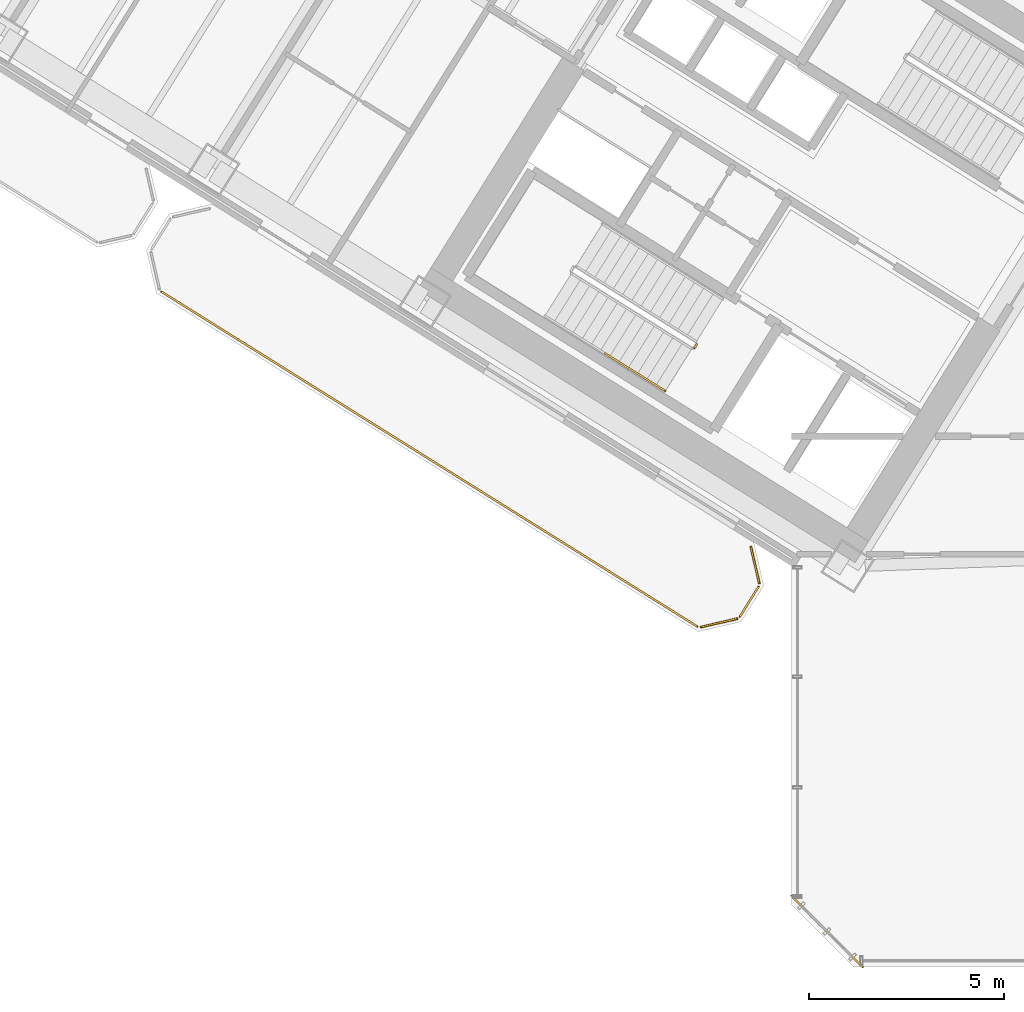
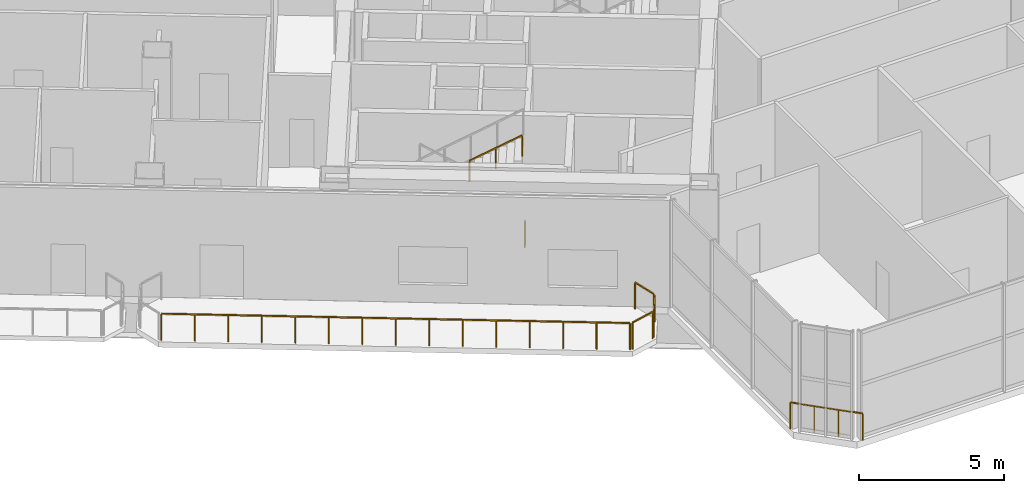
# One storey, part 18 of 22: 7 railings.
"""IFC4 building model written with IfcOpenShell, lengths in metres."""

from ifc_helpers import new_model, si_unit, direction, frame, origin, origin_2d, place, context, subcontext, project, spatial, rectangle, extrude, source, transform, mapped, material, type_object, element, save


model = new_model("IFC4")

# Units and contexts
model_context = context("Model", 3, precision=1e-05, world=origin(), true_north=direction((0.0, 1.0)))
body_context = subcontext(model_context, "Body", "Model", "MODEL_VIEW")
ifc_project = project(units=[si_unit("LENGTHUNIT", "METRE"), si_unit("AREAUNIT", "SQUARE_METRE"), si_unit("VOLUMEUNIT", "CUBIC_METRE"), si_unit("PLANEANGLEUNIT", "RADIAN"), si_unit("MASSUNIT", "GRAM", prefix="KILO")], contexts=[model_context])

# Site, building, storey
site_placement = place(None, origin())
site = spatial("IfcSite", under=ifc_project, at=site_placement, CompositionType="ELEMENT")
building_placement = place(site_placement, origin())
building = spatial("IfcBuilding", under=site, at=building_placement, Name="Tlacorven Tower", CompositionType="ELEMENT")
storey_placement = place(building_placement, frame((0.0, 0.0, 71.699951171875)))
storey = spatial("IfcBuildingStorey", under=building, at=storey_placement, Name="L18", CompositionType="ELEMENT", Elevation=71.699951171875)

# Railings
ifc_material = material(Name="Aluminium and painted steel balustrade", Category="steel")
railing_type_1 = type_object("IfcRailingType", Name="RL-GRD-1150", PredefinedType="GUARDRAIL", material=ifc_material)
shared_shape_1 = source(origin(), body_context, "Body", "SweptSolid", [
    extrude(rectangle(XDim=0.048095703125, YDim=0.048095703125, at=origin_2d()), frame((0.0, 0.0, 1.1259765625), z_axis=(-0.707106781187, 0.707106781187, 0.0), x_axis=(-0.707106781187, -0.707106781187, 0.0)), (0.0, 0.0, 1.0), 2.590087890625),
    extrude(rectangle(XDim=0.0419921875, YDim=0.0419921875, at=origin_2d()), origin(), (0.0, 0.0, 1.0), 1.101806640625),
    extrude(rectangle(XDim=0.0419921875, YDim=0.0419921875, at=origin_2d()), frame((-0.610595703125, 0.610595703125, 0.0)), (0.0, 0.0, 1.0), 1.101806640625),
    extrude(rectangle(XDim=0.0419921875, YDim=0.0419921875, at=origin_2d()), frame((-1.220947265625, 1.220947265625, 0.0)), (0.0, 0.0, 1.0), 1.101806640625),
    extrude(rectangle(XDim=0.0419921875, YDim=0.0419921875, at=origin_2d()), frame((-1.83154296875, 1.83154296875, 0.0)), (0.0, 0.0, 1.0), 1.101806640625),
])
railing_1_placement = place(storey_placement, frame((33.428955078125, 1.79736328125, 0.0)))
element("IfcRailing", 1, at=railing_1_placement, inside=storey, type_object=railing_type_1, Name="L18 Knuckle Glazed Sill Guard 1", PredefinedType="GUARDRAIL", context=body_context, shape_type="MappedRepresentation", body=[
    mapped(shared_shape_1, transform((0.0, 0.0, 0.0), scale=1.0)),
])
shared_shape_2 = source(origin(), body_context, "Body", "SweptSolid", [
    extrude(rectangle(XDim=0.048095703125, YDim=0.048095703125, at=origin_2d()), frame((0.0, 0.0, 1.1259765625), z_axis=(0.224934690535, -0.974373842523, 0.0), x_axis=(0.974373842523, 0.224934690535, 0.0)), (0.0, 0.0, 1.0), 0.94873046875),
    extrude(rectangle(XDim=0.0419921875, YDim=0.0419921875, at=origin_2d()), origin(), (0.0, 0.0, 1.0), 1.101806640625),
    extrude(rectangle(XDim=0.0419921875, YDim=0.0419921875, at=origin_2d()), frame((0.21337890625, -0.92431640625, 0.0)), (0.0, 0.0, 1.0), 1.101806640625),
])
railing_2_placement = place(storey_placement, frame((30.5625, 12.5771484375, 0.0)))
element("IfcRailing", 2, at=railing_2_placement, inside=storey, type_object=railing_type_1, Name="TER-L18-SGW Guard Railing 1", PredefinedType="GUARDRAIL", context=body_context, shape_type="MappedRepresentation", body=[
    mapped(shared_shape_2, transform((0.0, 0.0, 0.0), scale=1.0)),
])
shared_shape_3 = source(origin(), body_context, "Body", "SweptSolid", [
    extrude(rectangle(XDim=0.048095703125, YDim=0.048095703125, at=origin_2d()), frame((0.0, 0.0, 1.1259765625), z_axis=(-0.529806412759, -0.848118603144, 0.0), x_axis=(0.848118603144, -0.529806412759, 0.0)), (0.0, 0.0, 1.0), 0.911865234375),
    extrude(rectangle(XDim=0.0419921875, YDim=0.0419921875, at=origin_2d()), origin(), (0.0, 0.0, 1.0), 1.101806640625),
    extrude(rectangle(XDim=0.0419921875, YDim=0.0419921875, at=origin_2d()), frame((-0.483154296875, -0.7734375, 0.0)), (0.0, 0.0, 1.0), 1.101806640625),
])
railing_3_placement = place(storey_placement, frame((30.760498046875, 11.561767578125, 0.0)))
element("IfcRailing", 3, at=railing_3_placement, inside=storey, type_object=railing_type_1, Name="TER-L18-SGW Guard Railing 2", PredefinedType="GUARDRAIL", context=body_context, shape_type="MappedRepresentation", body=[
    mapped(shared_shape_3, transform((0.0, 0.0, 0.0), scale=1.0)),
])
shared_shape_4 = source(origin(), body_context, "Body", "SweptSolid", [
    extrude(rectangle(XDim=0.048095703125, YDim=0.048095703125, at=origin_2d()), frame((0.0, 0.0, 1.1259765625), z_axis=(-0.974360816218, -0.224991110535, 0.0), x_axis=(0.224991110535, -0.974360816218, 0.0)), (0.0, 0.0, 1.0), 0.948486328125),
    extrude(rectangle(XDim=0.0419921875, YDim=0.0419921875, at=origin_2d()), origin(), (0.0, 0.0, 1.0), 1.101806640625),
    extrude(rectangle(XDim=0.0419921875, YDim=0.0419921875, at=origin_2d()), frame((-0.924072265625, -0.21337890625, 0.0)), (0.0, 0.0, 1.0), 1.101806640625),
])
railing_4_placement = place(storey_placement, frame((30.201904296875, 10.734619140625, 0.0)))
element("IfcRailing", 4, at=railing_4_placement, inside=storey, type_object=railing_type_1, Name="TER-L18-SGW Guard Railing 3", PredefinedType="GUARDRAIL", context=body_context, shape_type="MappedRepresentation", body=[
    mapped(shared_shape_4, transform((0.0, 0.0, 0.0), scale=1.0)),
])
shared_shape_5 = source(origin(), body_context, "Body", "SweptSolid", [
    extrude(rectangle(XDim=0.048095703125, YDim=0.048095703125, at=origin_2d()), frame((0.0, 0.0, 1.1259765625), z_axis=(-0.848049045561, 0.529917744865, 0.0), x_axis=(-0.529917744865, -0.848049045561, 0.0)), (0.0, 0.0, 1.0), 16.217041015625),
    extrude(rectangle(XDim=0.0419921875, YDim=0.0419921875, at=origin_2d()), origin(), (0.0, 0.0, 1.0), 1.101806640625),
    extrude(rectangle(XDim=0.0419921875, YDim=0.0419921875, at=origin_2d()), frame((-0.982421875, 0.61376953125, 0.0)), (0.0, 0.0, 1.0), 1.101806640625),
    extrude(rectangle(XDim=0.0419921875, YDim=0.0419921875, at=origin_2d()), frame((-1.964599609375, 1.227783203125, 0.0)), (0.0, 0.0, 1.0), 1.101806640625),
    extrude(rectangle(XDim=0.0419921875, YDim=0.0419921875, at=origin_2d()), frame((-2.947021484375, 1.841552734375, 0.0)), (0.0, 0.0, 1.0), 1.101806640625),
    extrude(rectangle(XDim=0.0419921875, YDim=0.0419921875, at=origin_2d()), frame((-3.929443359375, 2.455322265625, 0.0)), (0.0, 0.0, 1.0), 1.101806640625),
    extrude(rectangle(XDim=0.0419921875, YDim=0.0419921875, at=origin_2d()), frame((-4.911865234375, 3.069091796875, 0.0)), (0.0, 0.0, 1.0), 1.101806640625),
    extrude(rectangle(XDim=0.0419921875, YDim=0.0419921875, at=origin_2d()), frame((-5.89404296875, 3.68310546875, 0.0)), (0.0, 0.0, 1.0), 1.101806640625),
    extrude(rectangle(XDim=0.0419921875, YDim=0.0419921875, at=origin_2d()), frame((-6.87646484375, 4.296875, 0.0)), (0.0, 0.0, 1.0), 1.101806640625),
    extrude(rectangle(XDim=0.0419921875, YDim=0.0419921875, at=origin_2d()), frame((-7.85888671875, 4.91064453125, 0.0)), (0.0, 0.0, 1.0), 1.101806640625),
    extrude(rectangle(XDim=0.0419921875, YDim=0.0419921875, at=origin_2d()), frame((-8.841064453125, 5.524658203125, 0.0)), (0.0, 0.0, 1.0), 1.101806640625),
    extrude(rectangle(XDim=0.0419921875, YDim=0.0419921875, at=origin_2d()), frame((-9.823486328125, 6.138427734375, 0.0)), (0.0, 0.0, 1.0), 1.101806640625),
    extrude(rectangle(XDim=0.0419921875, YDim=0.0419921875, at=origin_2d()), frame((-10.805908203125, 6.752197265625, 0.0)), (0.0, 0.0, 1.0), 1.101806640625),
    extrude(rectangle(XDim=0.0419921875, YDim=0.0419921875, at=origin_2d()), frame((-11.788330078125, 7.365966796875, 0.0)), (0.0, 0.0, 1.0), 1.101806640625),
    extrude(rectangle(XDim=0.0419921875, YDim=0.0419921875, at=origin_2d()), frame((-12.7705078125, 7.97998046875, 0.0)), (0.0, 0.0, 1.0), 1.101806640625),
    extrude(rectangle(XDim=0.0419921875, YDim=0.0419921875, at=origin_2d()), frame((-13.7529296875, 8.59375, 0.0)), (0.0, 0.0, 1.0), 1.101806640625),
])
railing_5_placement = place(storey_placement, frame((29.186767578125, 10.53662109375, 0.0)))
element("IfcRailing", 5, at=railing_5_placement, inside=storey, type_object=railing_type_1, Name="TER-L18-SGW Guard Railing 4", PredefinedType="GUARDRAIL", context=body_context, shape_type="MappedRepresentation", body=[
    mapped(shared_shape_5, transform((0.0, 0.0, 0.0), scale=1.0)),
])
railing_type_2 = type_object("IfcRailingType", Name="RL-GRD-1100", PredefinedType="GUARDRAIL", material=ifc_material)
shared_shape_6 = source(origin(), body_context, "Body", "SweptSolid", [
    extrude(rectangle(XDim=0.048095703125, YDim=0.048095703125, at=origin_2d()), frame((0.0, 0.0, 1.076171875), z_axis=(-0.529084052582, -0.848569422795, 0.0), x_axis=(0.848569422795, -0.529084052582, 0.0)), (0.0, 0.0, 1.0), 0.119873046875),
    extrude(rectangle(XDim=0.0419921875, YDim=0.0419921875, at=origin_2d()), origin(), (0.0, 0.0, 1.0), 1.052001953125),
    extrude(rectangle(XDim=0.0419921875, YDim=0.0419921875, at=origin_2d()), frame((-0.0634765625, -0.101806640625, 0.0)), (0.0, 0.0, 1.0), 1.052001953125),
])
railing_6_placement = place(storey_placement, frame((29.176513671875, 17.782958984375, 0.0)))
element("IfcRailing", 6, at=railing_6_placement, inside=storey, type_object=railing_type_2, Name="L18 ST-W1 stair guard 4", PredefinedType="GUARDRAIL", context=body_context, shape_type="MappedRepresentation", body=[
    mapped(shared_shape_6, transform((0.0, 0.0, 0.0), scale=1.0)),
])
railing_type_3 = type_object("IfcRailingType", Name="RL-HND-0900", PredefinedType="HANDRAIL", material=ifc_material)
shared_shape_7 = source(origin(), body_context, "Body", "SweptSolid", [
    extrude(rectangle(XDim=0.048095703125, YDim=0.048095703125, at=origin_2d()), frame((0.0, 0.0, 0.8759765625), z_axis=(0.723280932889, -0.45190757433, 0.522153460567), x_axis=(0.529878353595, 0.848073658589, 0.0)), (0.0, 0.0, 1.0), 2.134033203125),
    extrude(rectangle(XDim=0.0419921875, YDim=0.0419921875, at=origin_2d()), origin(), (0.0, 0.0, 1.0), 0.851806640625),
    extrude(rectangle(XDim=0.0419921875, YDim=0.0419921875, at=origin_2d()), frame((0.771728515625, -0.482177734375, 0.55712890625)), (0.0, 0.0, 1.0), 0.851806640625),
    extrude(rectangle(XDim=0.0419921875, YDim=0.0419921875, at=origin_2d()), frame((1.54345703125, -0.96435546875, 1.1142578125)), (0.0, 0.0, 1.0), 0.851806640625),
])
railing_7_placement = place(storey_placement, frame((26.822265625, 17.544189453125, 3.685791015625)))
element("IfcRailing", 7, at=railing_7_placement, inside=storey, type_object=railing_type_3, Name="L18 ST-W1 stair handrail 4", PredefinedType="HANDRAIL", context=body_context, shape_type="MappedRepresentation", body=[
    mapped(shared_shape_7, transform((0.0, 0.0, 0.0), scale=1.0)),
])

save(model, "model.ifc")
